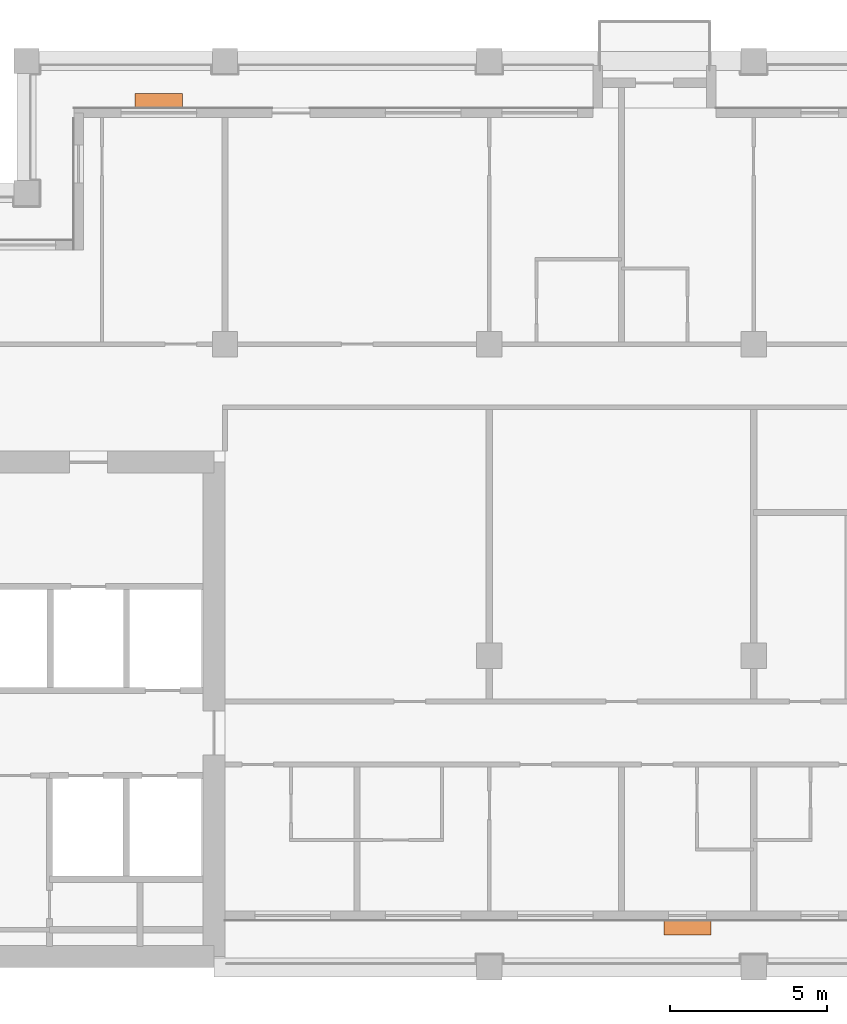
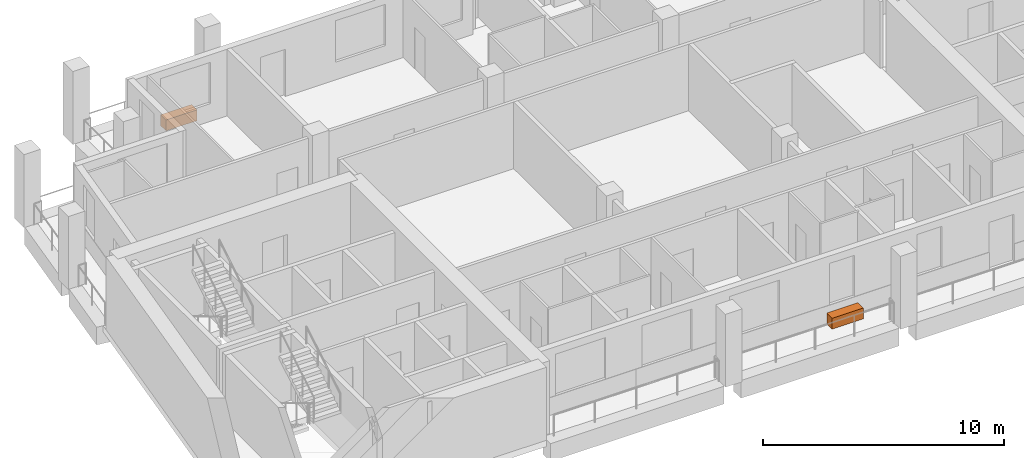
# One storey, part 10 of 10: 2 proxies.
"""IFC4 building model written with IfcOpenShell, lengths in metres."""

from ifc_helpers import new_model, si_unit, direction, frame, origin, origin_2d, place, context, subcontext, project, spatial, rectangle, extrude, element, save


model = new_model("IFC4")

# Units and contexts
model_context = context("Model", 3, precision=1e-05, world=origin(), true_north=direction((0.0, 1.0)))
body_context = subcontext(model_context, "Body", "Model", "MODEL_VIEW")
ifc_project = project(units=[si_unit("LENGTHUNIT", "METRE"), si_unit("AREAUNIT", "SQUARE_METRE"), si_unit("VOLUMEUNIT", "CUBIC_METRE"), si_unit("PLANEANGLEUNIT", "RADIAN"), si_unit("MASSUNIT", "GRAM", prefix="KILO")], contexts=[model_context])

# Site, building, storey
site_placement = place(None, origin())
site = spatial("IfcSite", under=ifc_project, at=site_placement, CompositionType="ELEMENT")
building_placement = place(site_placement, origin())
building = spatial("IfcBuilding", under=site, at=building_placement, Name="Candeia Pilgrim Tower and Theatre", CompositionType="ELEMENT")
storey_placement = place(building_placement, frame((0.0, 0.0, 284.89990234375)))
storey = spatial("IfcBuildingStorey", under=building, at=storey_placement, Name="L69", CompositionType="ELEMENT", Elevation=284.89990234375)

# Proxies
for number, where, z_axis, x_axis, name in (
    (1, (115.5, 117.2548828125, 0.0), (0.0, 0.0, 1.0), (1.0, 0.0, 0.0), "Planter"),
    (2, (98.699951171875, 143.544921875, 0.0), (0.0, 0.0, 1.0), (-1.0, 0.0, 0.0), "Planter"),
):
    element("IfcBuildingElementProxy", number, at=place(storey_placement, frame(where, z_axis=z_axis, x_axis=x_axis)), inside=storey, Name=name, ObjectType="PLANTER", PredefinedType="USERDEFINED", context=body_context, shape_type="SweptSolid", body=[
        extrude(rectangle(XDim=1.5, YDim=0.449951171875, at=origin_2d()), origin(), (0.0, 0.0, 1.0), 0.550048828125),
    ])

save(model, "model.ifc")
